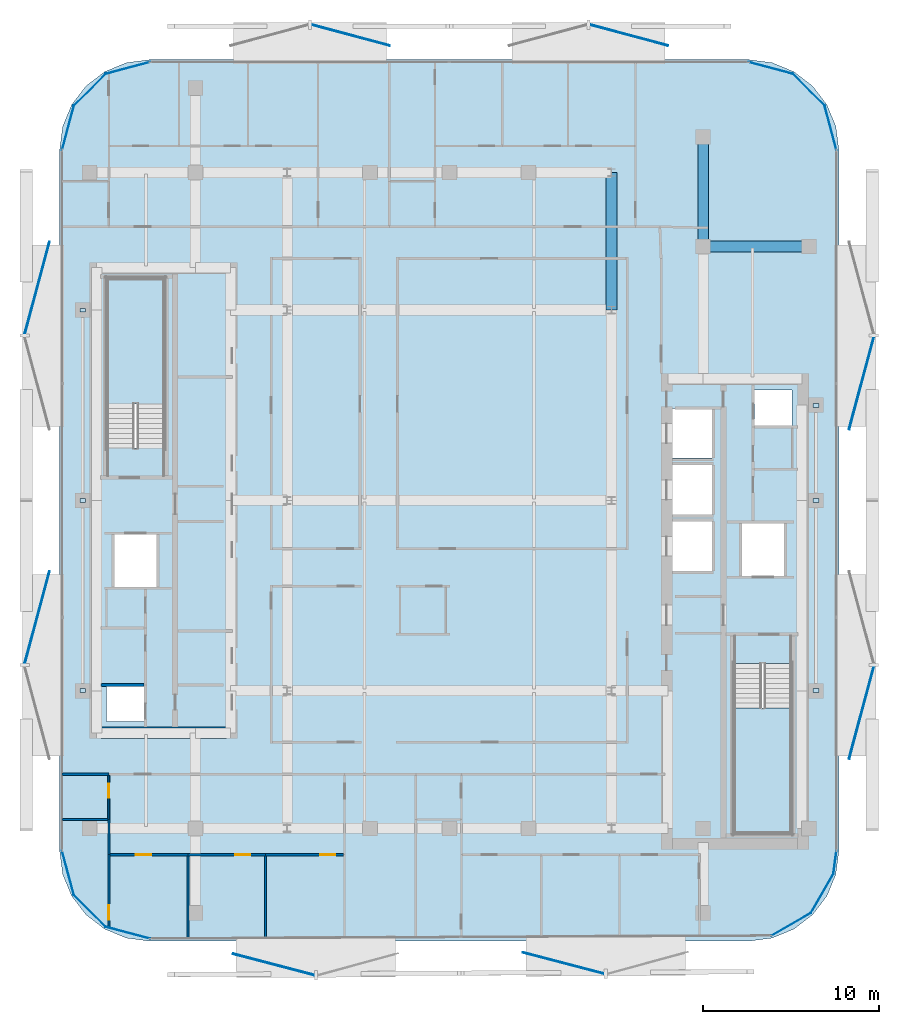
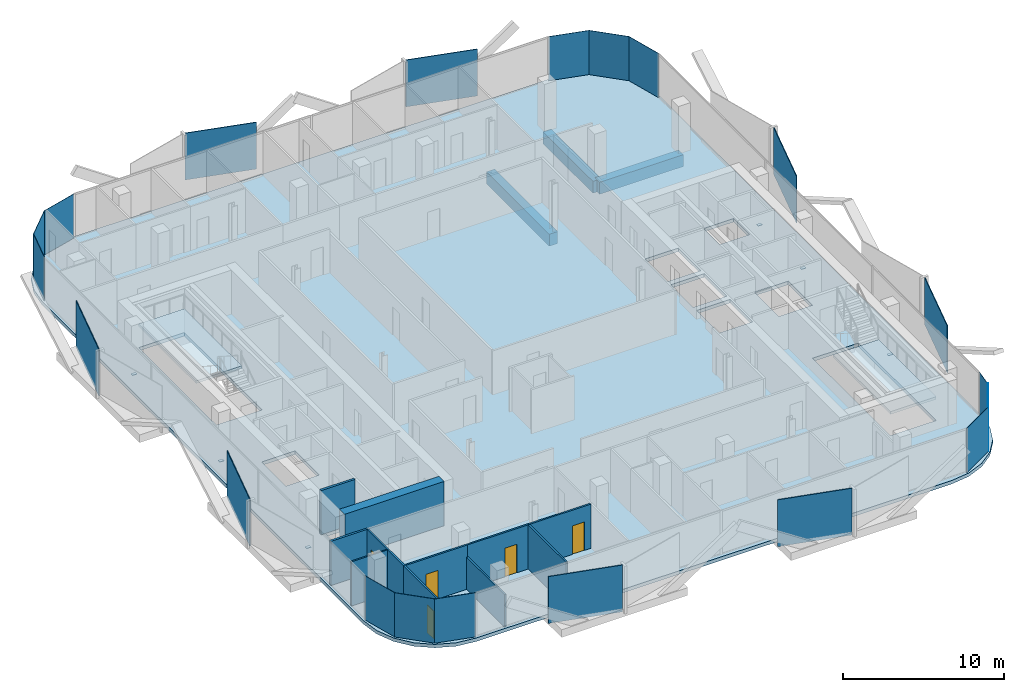
# One storey, part 2 of 14: 26 plates, 12 walls, 5 doors, 3 beams, 3 slabs, 5 openings, 2 elements without a shape of their own.
"""IFC4 building model written with IfcOpenShell, lengths in metres."""

from ifc_helpers import new_model, si_unit, direction, frame, frame_2d, origin, origin_2d, place, context, subcontext, project, spatial, polyline, rectangle, outline, extrude, material, layer, layer_set, material_profile, profile_set, type_object, element, fill, aggregate, save


model = new_model("IFC4")

# Units and contexts
model_context = context("Model", 3, precision=1e-05, world=origin(), true_north=direction((0.0, 1.0)))
body_context = subcontext(model_context, "Body", "Model", "MODEL_VIEW")
ifc_project = project(units=[si_unit("LENGTHUNIT", "METRE"), si_unit("AREAUNIT", "SQUARE_METRE"), si_unit("VOLUMEUNIT", "CUBIC_METRE"), si_unit("PLANEANGLEUNIT", "RADIAN"), si_unit("MASSUNIT", "GRAM", prefix="KILO")], contexts=[model_context])

# Site, building, storey
site_placement = place(None, origin())
site = spatial("IfcSite", under=ifc_project, at=site_placement, CompositionType="ELEMENT")
building_placement = place(site_placement, origin())
building = spatial("IfcBuilding", under=site, at=building_placement, Name="Khairoan Windgate Tower", CompositionType="ELEMENT")
storey_placement = place(building_placement, frame((0.0, 0.0, 229.60009765625)))
storey = spatial("IfcBuildingStorey", under=building, at=storey_placement, Name="L53", CompositionType="ELEMENT", Elevation=229.60009765625)

# Beams
ifc_material_1 = material(Name="Concrete C50/60", Category="concrete")
ifc_material_profile = material_profile(ifc_material_1, rectangle(XDim=0.60009765625, YDim=0.89990234375, at=origin_2d()))
ifc_profile_set = profile_set([ifc_material_profile], Name="Concrete C50/60")
beam_type = type_object("IfcBeamType", Name="Beam B-RC1 RC600x900", PredefinedType="BEAM", material=ifc_profile_set)
beam_1_placement = place(storey_placement, frame((14.39990234375, 14.39990234375, -0.710205078125), z_axis=(1.0, 0.0, 0.0), x_axis=(0.0, 1.0, 0.0)))
element("IfcBeam", 1, at=beam_1_placement, inside=storey, type_object=beam_type, Name="L53 E-W Primary Girder 21", PredefinedType="BEAM", context=body_context, shape_type="SweptSolid", body=[
    extrude(rectangle(XDim=0.60009765625, YDim=0.89990234375, at=origin_2d()), origin(), (0.0, 0.0, 1.0), 6.0),
])
beam_2_placement = place(storey_placement, frame((9.199951171875, 10.800048828125, -0.710205078125), z_axis=(0.0, 1.0, 0.0), x_axis=(-1.0, 0.0, 0.0)))
element("IfcBeam", 2, at=beam_2_placement, inside=storey, type_object=beam_type, Name="L53 N-S Primary Beam 49", PredefinedType="BEAM", context=body_context, shape_type="SweptSolid", body=[
    extrude(rectangle(XDim=0.60009765625, YDim=0.89990234375, at=origin_2d()), origin(), (0.0, 0.0, 1.0), 7.800048828125),
])
beam_3_placement = place(storey_placement, frame((14.39990234375, 14.39990234375, -0.710205078125), z_axis=(0.0, 1.0, 0.0), x_axis=(-1.0, 0.0, 0.0)))
element("IfcBeam", 3, at=beam_3_placement, inside=storey, type_object=beam_type, Name="L53 N-S Primary Beam 53", PredefinedType="BEAM", context=body_context, shape_type="SweptSolid", body=[
    extrude(rectangle(XDim=0.60009765625, YDim=0.89990234375, at=origin_2d()), origin(), (0.0, 0.0, 1.0), 6.2001953125),
])

# Plates
ifc_material_2 = material(Name="Low-E Solar Control Laminated Glass", Category="glass")
ifc_layer_1 = layer(ifc_material_2, 0.030029296875, Name="Low-E Solar Control Laminated Glass")
ifc_layer_set_1 = layer_set([ifc_layer_1], Name="Low-E Solar Control Laminated Glass")
plate_type_1 = type_object("IfcPlateType", Name="Aerodynamic Wind-Corner Curved Glazing Plate", PredefinedType="USERDEFINED", material=ifc_layer_set_1)
plate_1_placement = place(storey_placement, frame((-18.235107421875, -24.527099609375, 0.0), z_axis=(0.0, 0.0, 1.0), x_axis=(-0.966061211211, 0.258313252067, 0.0)))
element("IfcPlate", 4, at=plate_1_placement, inside=storey, type_object=plate_type_1, Name="L53 Aerodynamic Wind-Corner Curved Glazing Panel 2", ObjectType="GLAZING PANEL", PredefinedType="USERDEFINED", context=body_context, shape_type="SweptSolid", body=[
    extrude(rectangle(XDim=2.6162109375, YDim=0.030029296875, at=origin_2d()), origin(), (0.0, 0.0, 1.0), 3.340087890625),
])
plate_2_placement = place(storey_placement, frame((-20.386962890625, -23.286865234375, 0.0), z_axis=(0.0, 0.0, 1.0), x_axis=(-0.707106781187, 0.707106781187, 0.0)))
element("IfcPlate", 5, at=plate_2_placement, inside=storey, type_object=plate_type_1, Name="L53 Aerodynamic Wind-Corner Curved Glazing Panel 3", ObjectType="GLAZING PANEL", PredefinedType="USERDEFINED", context=body_context, shape_type="SweptSolid", body=[
    extrude(rectangle(XDim=2.606689453125, YDim=0.030029296875, at=origin_2d()), origin(), (0.0, 0.0, 1.0), 3.340087890625),
])
for number, where, z_axis, x_axis, name in (
    (6, (-21.627197265625, -21.135009765625, 0.0), (0.0, 0.0, 1.0), (-0.258313252067, 0.966061211211, 0.0), "L53 Aerodynamic Wind-Corner Curved Glazing Panel 4"),
    (7, (-21.627197265625, 21.135009765625, 0.0), (0.0, 0.0, 1.0), (0.258313252067, 0.966061211211, 0.0), "L53 Aerodynamic Wind-Corner Curved Glazing Panel 6"),
):
    element("IfcPlate", number, at=place(storey_placement, frame(where, z_axis=z_axis, x_axis=x_axis)), inside=storey, type_object=plate_type_1, Name=name, ObjectType="GLAZING PANEL", PredefinedType="USERDEFINED", context=body_context, shape_type="SweptSolid", body=[
        extrude(rectangle(XDim=2.6162109375, YDim=0.030029296875, at=origin_2d()), origin(), (0.0, 0.0, 1.0), 3.340087890625),
    ])
plate_3_placement = place(storey_placement, frame((-20.386962890625, 23.286865234375, 0.0), z_axis=(0.0, 0.0, 1.0), x_axis=(0.707106781187, 0.707106781187, 0.0)))
element("IfcPlate", 8, at=plate_3_placement, inside=storey, type_object=plate_type_1, Name="L53 Aerodynamic Wind-Corner Curved Glazing Panel 7", ObjectType="GLAZING PANEL", PredefinedType="USERDEFINED", context=body_context, shape_type="SweptSolid", body=[
    extrude(rectangle(XDim=2.606689453125, YDim=0.030029296875, at=origin_2d()), origin(), (0.0, 0.0, 1.0), 3.340087890625),
])
for number, where, z_axis, x_axis, name in (
    (9, (-18.235107421875, 24.527099609375, 0.0), (0.0, 0.0, 1.0), (0.966061211211, 0.258313252067, 0.0), "L53 Aerodynamic Wind-Corner Curved Glazing Panel 8"),
    (10, (18.235107421875, 24.527099609375, 0.0), (0.0, 0.0, 1.0), (0.966061211211, -0.258313252067, 0.0), "L53 Aerodynamic Wind-Corner Curved Glazing Panel 10"),
):
    element("IfcPlate", number, at=place(storey_placement, frame(where, z_axis=z_axis, x_axis=x_axis)), inside=storey, type_object=plate_type_1, Name=name, ObjectType="GLAZING PANEL", PredefinedType="USERDEFINED", context=body_context, shape_type="SweptSolid", body=[
        extrude(rectangle(XDim=2.6162109375, YDim=0.030029296875, at=origin_2d()), origin(), (0.0, 0.0, 1.0), 3.340087890625),
    ])
plate_4_placement = place(storey_placement, frame((20.386962890625, 23.286865234375, 0.0), z_axis=(0.0, 0.0, 1.0), x_axis=(0.707106781187, -0.707106781187, 0.0)))
element("IfcPlate", 11, at=plate_4_placement, inside=storey, type_object=plate_type_1, Name="L53 Aerodynamic Wind-Corner Curved Glazing Panel 11", ObjectType="GLAZING PANEL", PredefinedType="USERDEFINED", context=body_context, shape_type="SweptSolid", body=[
    extrude(rectangle(XDim=2.606689453125, YDim=0.030029296875, at=origin_2d()), origin(), (0.0, 0.0, 1.0), 3.340087890625),
])
plate_5_placement = place(storey_placement, frame((21.627197265625, 21.135009765625, 0.0), z_axis=(0.0, 0.0, 1.0), x_axis=(0.258313252067, -0.966061211211, 0.0)))
element("IfcPlate", 12, at=plate_5_placement, inside=storey, type_object=plate_type_1, Name="L53 Aerodynamic Wind-Corner Curved Glazing Panel 12", ObjectType="GLAZING PANEL", PredefinedType="USERDEFINED", context=body_context, shape_type="SweptSolid", body=[
    extrude(rectangle(XDim=2.6162109375, YDim=0.030029296875, at=origin_2d()), origin(), (0.0, 0.0, 1.0), 3.340087890625),
])
plate_6_placement = place(storey_placement, frame((21.875, -20.537109375, 0.0), z_axis=(0.0, 0.0, 1.0), x_axis=(-0.13052619222, -0.991444861374, 0.0)))
element("IfcPlate", 13, at=plate_6_placement, inside=storey, type_object=plate_type_1, Name="L53 Aerodynamic Wind-Corner Curved Glazing Panel 14", ObjectType="GLAZING PANEL", PredefinedType="USERDEFINED", context=body_context, shape_type="SweptSolid", body=[
    extrude(rectangle(XDim=1.343994140625, YDim=0.030029296875, at=origin_2d()), origin(), (0.0, 0.0, 1.0), 3.340087890625),
])
for number, where, z_axis, x_axis, name in (
    (14, (21.148193359375, -22.294921875, 0.0), (0.0, 0.0, 1.0), (-0.5, -0.866025403784, 0.0), "L53 Aerodynamic Wind-Corner Curved Glazing Panel 15"),
    (15, (19.39501953125, -24.048095703125, 0.0), (0.0, 0.0, 1.0), (-0.866025403784, -0.5, 0.0), "L53 Aerodynamic Wind-Corner Curved Glazing Panel 16"),
):
    element("IfcPlate", number, at=place(storey_placement, frame(where, z_axis=z_axis, x_axis=x_axis)), inside=storey, type_object=plate_type_1, Name=name, ObjectType="GLAZING PANEL", PredefinedType="USERDEFINED", context=body_context, shape_type="SweptSolid", body=[
        extrude(rectangle(XDim=2.606689453125, YDim=0.030029296875, at=origin_2d()), origin(), (0.0, 0.0, 1.0), 3.340087890625),
    ])
ifc_material_3 = material(Name="Steel S355", Category="steel")
ifc_layer_2 = layer(ifc_material_3, 0.0400390625, Name="Steel S355")
ifc_layer_set_2 = layer_set([ifc_layer_2], Name="Steel S355")
plate_type_2 = type_object("IfcPlateType", Name="Hollow Section End-Cap Plate PL-CAP40", PredefinedType="SHEET", material=ifc_layer_set_2)
for number, where, z_axis, x_axis, name in (
    (16, (-20.800048828125, -10.784912109375, -0.43017578125), (0.0, 0.0, 1.0), (0.0, 1.0, 0.0), "BM-SP-L53-028 steel end-cap plate 1"),
    (17, (-20.800048828125, -0.014892578125, -0.43017578125), (0.0, 0.0, 1.0), (0.0, 1.0, 0.0), "BM-SP-L53-028 steel end-cap plate 2"),
    (18, (-20.800048828125, 10.784912109375, -0.43017578125), (0.0, 0.0, 1.0), (0.0, 1.0, 0.0), "BM-SP-L53-029 steel end-cap plate 2"),
    (19, (20.800048828125, -10.784912109375, -0.43017578125), (0.0, 0.0, 1.0), (0.0, 1.0, 0.0), "BM-SP-L53-057 steel end-cap plate 1"),
    (20, (20.800048828125, -0.014892578125, -0.43017578125), (0.0, 0.0, 1.0), (0.0, 1.0, 0.0), "BM-SP-L53-057 steel end-cap plate 2"),
    (21, (20.800048828125, 5.385009765625, -0.43017578125), (0.0, 0.0, 1.0), (0.0, 1.0, 0.0), "BM-SP-L53-058 steel end-cap plate 2"),
):
    element("IfcPlate", number, at=place(storey_placement, frame(where, z_axis=z_axis, x_axis=x_axis)), inside=storey, type_object=plate_type_2, Name=name, PredefinedType="SHEET", context=body_context, shape_type="SweptSolid", body=[
        extrude(rectangle(XDim=0.219970703125, YDim=0.320068359375, at=origin_2d()), origin(), (0.0, 0.0, 1.0), 0.0400390625),
    ])
ifc_material_4 = material(Name="Anodised Bronze Aluminium 6063-T6", Category="aluminium")
ifc_layer_3 = layer(ifc_material_4, 0.054931640625, Name="Anodised Bronze Aluminium 6063-T6")
ifc_layer_set_3 = layer_set([ifc_layer_3], Name="Anodised Bronze Aluminium 6063-T6")
plate_type_3 = type_object("IfcPlateType", Name="Perforated Bronze Solar Screen Upper Panel BSP-2", PredefinedType="USERDEFINED", material=ifc_layer_set_3)
for number, where, z_axis, x_axis, name in (
    (22, (6.47998046875, -26.25, -0.10009765625), (0.0, 0.0, 1.0), (-0.967179115616, 0.254095569259, 0.0), "L53 Perforated Bronze Solar Screen Panel 353R"),
    (23, (-9.957275390625, -26.3291015625, -0.10009765625), (0.0, 0.0, 1.0), (-0.967179115616, 0.254095569259, 0.0), "L53 Perforated Bronze Solar Screen Panel 354R"),
):
    element("IfcPlate", number, at=place(storey_placement, frame(where, z_axis=z_axis, x_axis=x_axis)), inside=storey, type_object=plate_type_3, Name=name, ObjectType="SCREEN", PredefinedType="USERDEFINED", context=body_context, shape_type="SweptSolid", body=[
        extrude(rectangle(XDim=4.76708984375, YDim=0.054931640625, at=origin_2d()), origin(), (0.0, 0.0, 1.0), 3.5400390625),
    ])
for number, where, z_axis, x_axis, name in (
    (24, (-23.378662109375, -6.6376953125, -0.10009765625), (0.0, 0.0, 1.0), (0.258819045103, 0.965925826289, 0.0), "L53 Perforated Bronze Solar Screen Panel 355R"),
    (25, (-23.378662109375, 12.052978515625, -0.10009765625), (0.0, 0.0, 1.0), (0.258819045103, 0.965925826289, 0.0), "L53 Perforated Bronze Solar Screen Panel 356R"),
):
    element("IfcPlate", number, at=place(storey_placement, frame(where, z_axis=z_axis, x_axis=x_axis)), inside=storey, type_object=plate_type_3, Name=name, ObjectType="SCREEN", PredefinedType="USERDEFINED", context=body_context, shape_type="SweptSolid", body=[
        extrude(rectangle(XDim=5.419921875, YDim=0.054931640625, at=origin_2d()), origin(), (0.0, 0.0, 1.0), 3.5400390625),
    ])
for number, where, z_axis, x_axis, name in (
    (26, (-5.593994140625, 26.387451171875, -0.10009765625), (0.0, 0.0, 1.0), (0.965925826289, -0.258819045103, 0.0), "L53 Perforated Bronze Solar Screen Panel 357R"),
    (27, (10.197021484375, 26.387451171875, -0.10009765625), (0.0, 0.0, 1.0), (0.965925826289, -0.258819045103, 0.0), "L53 Perforated Bronze Solar Screen Panel 358R"),
):
    element("IfcPlate", number, at=place(storey_placement, frame(where, z_axis=z_axis, x_axis=x_axis)), inside=storey, type_object=plate_type_3, Name=name, ObjectType="SCREEN", PredefinedType="USERDEFINED", context=body_context, shape_type="SweptSolid", body=[
        extrude(rectangle(XDim=4.5791015625, YDim=0.054931640625, at=origin_2d()), origin(), (0.0, 0.0, 1.0), 3.5400390625),
    ])
for number, where, z_axis, x_axis, name in (
    (28, (23.378662109375, 6.6376953125, -0.10009765625), (0.0, 0.0, 1.0), (-0.258819045103, -0.965925826289, 0.0), "L53 Perforated Bronze Solar Screen Panel 359R"),
    (29, (23.378662109375, -12.052978515625, -0.10009765625), (0.0, 0.0, 1.0), (-0.258819045103, -0.965925826289, 0.0), "L53 Perforated Bronze Solar Screen Panel 360R"),
):
    element("IfcPlate", number, at=place(storey_placement, frame(where, z_axis=z_axis, x_axis=x_axis)), inside=storey, type_object=plate_type_3, Name=name, ObjectType="SCREEN", PredefinedType="USERDEFINED", context=body_context, shape_type="SweptSolid", body=[
        extrude(rectangle(XDim=5.419921875, YDim=0.054931640625, at=origin_2d()), origin(), (0.0, 0.0, 1.0), 3.5400390625),
    ])

# Stair, slab
ifc_material_5 = material(Name="Concrete C40/50", Category="concrete")
stair_type = type_object("IfcStairType", Name="Tower Core Dog-Leg Stair ST-T1 1560mm", PredefinedType="HALF_TURN_STAIR", material=ifc_material_5)
stair_1_placement = place(storey_placement, origin())
stair_1 = element("IfcStair", 30, at=stair_1_placement, inside=storey, type_object=stair_type, Name="L53 Stair ST1", PredefinedType="HALF_TURN_STAIR")
ifc_material_6 = material(Name="Concrete C40/50", Category="concrete")
ifc_layer_4 = layer(ifc_material_6, 0.199951171875, Name="Concrete C40/50")
ifc_layer_set_4 = layer_set([ifc_layer_4], Name="Concrete C40/50")
slab_type_1 = type_object("IfcSlabType", Name="Reinforced Concrete Stair Landing Slab STL-200", PredefinedType="LANDING", material=ifc_layer_set_4)
slab_1_placement = place(storey_placement, frame((0.0, 0.0, 1.599853515625)))
slab_1 = element("IfcSlab", 31, at=slab_1_placement, type_object=slab_type_1, Name="ST1 landing 1", PredefinedType="LANDING", context=body_context, shape_type="SweptSolid", body=[
    extrude(outline(polyline([(16.14990234375, -11.780029296875), (16.14990234375, -18.89990234375), (19.419921875, -18.89990234375), (19.419921875, -11.780029296875), (16.14990234375, -11.780029296875)])), origin(), (0.0, 0.0, 1.0), 0.199951171875),
])
aggregate(stair_1, [slab_1])

stair_2_placement = place(storey_placement, origin())
stair_2 = element("IfcStair", 32, at=stair_2_placement, inside=storey, type_object=stair_type, Name="L53 Stair ST2", PredefinedType="HALF_TURN_STAIR")
slab_2_placement = place(storey_placement, frame((0.0, 0.0, 1.599853515625)))
slab_2 = element("IfcSlab", 33, at=slab_2_placement, type_object=slab_type_1, Name="ST2 landing 1", PredefinedType="LANDING", context=body_context, shape_type="SweptSolid", body=[
    extrude(outline(polyline([(-16.14990234375, 5.47998046875), (-16.14990234375, 12.60009765625), (-19.419921875, 12.60009765625), (-19.419921875, 5.47998046875), (-16.14990234375, 5.47998046875)])), origin(), (0.0, 0.0, 1.0), 0.199951171875),
])
aggregate(stair_2, [slab_2])

# Slab
ifc_material_7 = material(Name="Concrete C40/50", Category="concrete")
ifc_layer_5 = layer(ifc_material_7, 0.260009765625, Name="Concrete C40/50")
ifc_layer_set_5 = layer_set([ifc_layer_5], Name="Concrete C40/50")
slab_type_2 = type_object("IfcSlabType", Name="Tower Composite Floor Slab FS2 260mm", PredefinedType="FLOOR", material=ifc_layer_set_5)
slab_3_placement = place(storey_placement, frame((0.0, 0.0, -0.260009765625)))
element("IfcSlab", 34, at=slab_3_placement, inside=storey, type_object=slab_type_2, Name="L53 Structural Floor Slab", PredefinedType="FLOOR", context=body_context, shape_type="SweptSolid", body=[
    extrude(outline(polyline([(17.0, -25.0), (18.320068359375, -24.826171875), (19.550048828125, -24.316650390625), (20.606201171875, -23.506103515625), (21.416748046875, -22.449951171875), (21.92626953125, -21.219970703125), (22.10009765625, -19.89990234375), (22.10009765625, 19.89990234375), (21.92626953125, 21.219970703125), (21.416748046875, 22.449951171875), (20.606201171875, 23.506103515625), (19.550048828125, 24.316650390625), (18.320068359375, 24.826171875), (17.0, 25.0), (-17.0, 25.0), (-18.320068359375, 24.826171875), (-19.550048828125, 24.316650390625), (-20.606201171875, 23.506103515625), (-21.416748046875, 22.449951171875), (-21.92626953125, 21.219970703125), (-22.10009765625, 19.89990234375), (-22.10009765625, -19.89990234375), (-21.92626953125, -21.219970703125), (-21.416748046875, -22.449951171875), (-20.606201171875, -23.506103515625), (-19.550048828125, -24.316650390625), (-18.320068359375, -24.826171875), (-17.0, -25.0), (17.0, -25.0)]), holes=[polyline([(16.14990234375, -9.260009765625), (16.14990234375, -18.89990234375), (19.419921875, -18.89990234375), (19.419921875, -9.260009765625), (16.14990234375, -9.260009765625)]), polyline([(-16.14990234375, 2.9599609375), (-16.14990234375, 12.60009765625), (-19.419921875, 12.60009765625), (-19.419921875, 2.9599609375), (-16.14990234375, 2.9599609375)]), polyline([(12.5, 2.39990234375), (14.89990234375, 2.39990234375), (14.89990234375, 5.199951171875), (12.5, 5.199951171875), (12.5, 2.39990234375)]), polyline([(12.5, -0.800048828125), (14.89990234375, -0.800048828125), (14.89990234375, 2.0), (12.5, 2.0), (12.5, -0.800048828125)]), polyline([(12.5, -4.0), (14.89990234375, -4.0), (14.89990234375, -1.199951171875), (12.5, -1.199951171875), (12.5, -4.0)]), polyline([(16.60009765625, -4.300048828125), (19.0, -4.300048828125), (19.0, -1.300048828125), (16.60009765625, -1.300048828125), (16.60009765625, -4.300048828125)]), polyline([(-19.0, -4.89990234375), (-16.60009765625, -4.89990234375), (-16.60009765625, -1.89990234375), (-19.0, -1.89990234375), (-19.0, -4.89990234375)]), polyline([(-19.449951171875, -12.550048828125), (-17.31005859375, -12.550048828125), (-17.31005859375, -10.550048828125), (-19.449951171875, -10.550048828125), (-19.449951171875, -12.550048828125)]), polyline([(17.31005859375, 4.25), (19.449951171875, 4.25), (19.449951171875, 6.25), (17.31005859375, 6.25), (17.31005859375, 4.25)])]), origin(), (0.0, 0.0, 1.0), 0.260009765625),
])

# Wall
ifc_material_8 = material(Name="Moisture-Resistant Gypsum Partition", Category="gypsum")
ifc_layer_6 = layer(ifc_material_8, 0.10009765625, Name="Moisture-Resistant Gypsum Partition")
ifc_layer_set_6 = layer_set([ifc_layer_6], Name="Moisture-Resistant Gypsum Partition")
wall_type_1 = type_object("IfcWallType", Name="Bathroom Wet-Area Partition Wall", PredefinedType="PARTITIONING", material=ifc_layer_set_6)
wall_1_placement = place(storey_placement, frame((-21.955078125, -18.10009765625, 0.0), z_axis=(0.0, 0.0, 1.0), x_axis=(1.0, 0.0, 0.0)))
element("IfcWall", 35, at=wall_1_placement, inside=storey, type_object=wall_type_1, Name="L53 Interior Partition 065", PredefinedType="PARTITIONING", context=body_context, shape_type="SweptSolid", body=[
    extrude(rectangle(XDim=2.594970703125, YDim=0.10009765625, at=frame_2d((1.29736328125, 0.0))), origin(), (0.0, 0.0, 1.0), 3.33984375),
])

# Wall, opening, door
wall_2_placement = place(storey_placement, frame((-19.31005859375, -18.10009765625, 0.0), z_axis=(0.0, 0.0, 1.0), x_axis=(0.0, 1.0, 0.0)))
wall_2 = element("IfcWall", 36, at=wall_2_placement, inside=storey, type_object=wall_type_1, Name="L53 Interior Partition 066", PredefinedType="PARTITIONING", context=body_context, shape_type="SweptSolid", body=[
    extrude(rectangle(XDim=2.5, YDim=0.10009765625, at=frame_2d((1.25, 0.0))), origin(), (0.0, 0.0, 1.0), 3.33984375),
])
opening_1_placement = place(wall_2_placement, frame((1.239990234375, 0.0, 0.0)))
opening_1 = element("IfcOpeningElement", 37, at=opening_1_placement, cuts=wall_2, Name="Opening ID-BTH", PredefinedType="OPENING", context=body_context, shape_type="SweptSolid", body=[
    extrude(rectangle(XDim=0.800048828125, YDim=2.10009765625, at=frame_2d((0.39990234375, 1.050048828125))), frame((0.0, 0.06005859375, 0.0), z_axis=(0.0, -1.0, 0.0), x_axis=(1.0, 0.0, 0.0)), (0.0, 0.0, 1.0), 0.1201171875),
])
ifc_material_9 = material(Name="Teak Veneer Timber Leaf", Category="wood")
door_type_1 = type_object("IfcDoorType", Name="Internal Bathroom Door ID-BTH 800x2100", OperationType="NOTDEFINED", PredefinedType="DOOR", material=ifc_material_9)
door_1_placement = place(opening_1_placement, origin())
door_1 = element("IfcDoor", 38, at=door_1_placement, inside=storey, type_object=door_type_1, Name="L53 L53-47-L53-49 Door", OperationType="SINGLE_SWING_RIGHT", OverallHeight=2.10009765625, OverallWidth=0.800048828125, PredefinedType="DOOR", context=body_context, shape_type="SweptSolid", body=[
    extrude(rectangle(XDim=0.800048828125, YDim=2.10009765625, at=frame_2d((0.39990234375, 1.050048828125))), frame((0.0, 0.02490234375, 0.0), z_axis=(0.0, -1.0, 0.0), x_axis=(1.0, 0.0, 0.0)), (0.0, 0.0, 1.0), 0.050048828125),
])
fill(opening_1, door_1)

# Wall
ifc_material_10 = material(Name="Gypsum Stud Partition", Category="gypsum")
ifc_layer_7 = layer(ifc_material_10, 0.1201171875, Name="Gypsum Stud Partition")
ifc_layer_set_7 = layer_set([ifc_layer_7], Name="Gypsum Stud Partition")
wall_type_2 = type_object("IfcWallType", Name="Internal Room Partition Wall", PredefinedType="PARTITIONING", material=ifc_layer_set_7)
wall_3_placement = place(storey_placement, frame((-19.31005859375, -20.10009765625, 0.0), z_axis=(0.0, 0.0, 1.0), x_axis=(0.0, 1.0, 0.0)))
element("IfcWall", 39, at=wall_3_placement, inside=storey, type_object=wall_type_2, Name="L53 Interior Partition 067", PredefinedType="PARTITIONING", context=body_context, shape_type="SweptSolid", body=[
    extrude(rectangle(XDim=2.0, YDim=0.1201171875, at=frame_2d((1.0, 0.0))), origin(), (0.0, 0.0, 1.0), 3.33984375),
])

# Wall, opening, door
wall_4_placement = place(storey_placement, frame((-19.31005859375, -24.234619140625, 0.0), z_axis=(0.0, 0.0, 1.0), x_axis=(0.0, 1.0, 0.0)))
wall_4 = element("IfcWall", 40, at=wall_4_placement, inside=storey, type_object=wall_type_2, Name="L53 Interior Partition 068", PredefinedType="PARTITIONING", context=body_context, shape_type="SweptSolid", body=[
    extrude(rectangle(XDim=4.134521484375, YDim=0.1201171875, at=frame_2d((2.0673828125, 0.0))), origin(), (0.0, 0.0, 1.0), 3.33984375),
])
opening_2_placement = place(wall_4_placement, frame((0.4599609375, 0.0, 0.0)))
opening_2 = element("IfcOpeningElement", 41, at=opening_2_placement, cuts=wall_4, Name="Opening ID-BTH", PredefinedType="OPENING", context=body_context, shape_type="SweptSolid", body=[
    extrude(rectangle(XDim=0.800048828125, YDim=2.10009765625, at=frame_2d((0.39990234375, 1.050048828125))), frame((0.0, 0.070068359375, 0.0), z_axis=(0.0, -1.0, 0.0), x_axis=(1.0, 0.0, 0.0)), (0.0, 0.0, 1.0), 0.14013671875),
])
door_2_placement = place(opening_2_placement, origin())
door_2 = element("IfcDoor", 42, at=door_2_placement, inside=storey, type_object=door_type_1, Name="L53 L53-48-L53-51 Door", OperationType="SINGLE_SWING_LEFT", OverallHeight=2.10009765625, OverallWidth=0.800048828125, PredefinedType="DOOR", context=body_context, shape_type="SweptSolid", body=[
    extrude(rectangle(XDim=0.800048828125, YDim=2.10009765625, at=frame_2d((0.39990234375, 1.050048828125))), frame((0.0, 0.02490234375, 0.0), z_axis=(0.0, -1.0, 0.0), x_axis=(1.0, 0.0, 0.0)), (0.0, 0.0, 1.0), 0.050048828125),
])
fill(opening_2, door_2)

wall_5_placement = place(storey_placement, frame((-19.25, -20.10009765625, 0.0), z_axis=(0.0, 0.0, 1.0), x_axis=(1.0, 0.0, 0.0)))
wall_5 = element("IfcWall", 43, at=wall_5_placement, inside=storey, type_object=wall_type_2, Name="L53 Interior Partition 070", PredefinedType="PARTITIONING", context=body_context, shape_type="SweptSolid", body=[
    extrude(rectangle(XDim=4.423095703125, YDim=0.1201171875, at=frame_2d((2.21142578125, 0.0))), origin(), (0.0, 0.0, 1.0), 3.33984375),
])
opening_3_placement = place(wall_5_placement, frame((1.4765625, 0.0, 0.0)))
opening_3 = element("IfcOpeningElement", 44, at=opening_3_placement, cuts=wall_5, Name="Opening ID-RM", PredefinedType="OPENING", context=body_context, shape_type="SweptSolid", body=[
    extrude(rectangle(XDim=0.860107421875, YDim=2.14990234375, at=frame_2d((0.43017578125, 1.074951171875))), frame((0.0, 0.070068359375, 0.0), z_axis=(0.0, -1.0, 0.0), x_axis=(1.0, 0.0, 0.0)), (0.0, 0.0, 1.0), 0.14013671875),
])
ifc_material_11 = material(Name="Teak Veneer Timber Leaf", Category="wood")
door_type_2 = type_object("IfcDoorType", Name="Internal Bedroom and Office Door ID-RM 860x2150", OperationType="NOTDEFINED", PredefinedType="DOOR", material=ifc_material_11)
door_3_placement = place(opening_3_placement, origin())
door_3 = element("IfcDoor", 45, at=door_3_placement, inside=storey, type_object=door_type_2, Name="L53 L53-49-L53-51 Door", OperationType="SINGLE_SWING_LEFT", OverallHeight=2.14990234375, OverallWidth=0.860107421875, PredefinedType="DOOR", context=body_context, shape_type="SweptSolid", body=[
    extrude(rectangle(XDim=0.860107421875, YDim=2.14990234375, at=frame_2d((0.43017578125, 1.074951171875))), frame((0.0, 0.02490234375, 0.0), z_axis=(0.0, -1.0, 0.0), x_axis=(1.0, 0.0, 0.0)), (0.0, 0.0, 1.0), 0.050048828125),
])
fill(opening_3, door_3)

wall_6_placement = place(storey_placement, frame((-14.826904296875, -20.10009765625, 0.0), z_axis=(0.0, 0.0, 1.0), x_axis=(1.0, 0.0, 0.0)))
wall_6 = element("IfcWall", 46, at=wall_6_placement, inside=storey, type_object=wall_type_2, Name="L53 Interior Partition 071", PredefinedType="PARTITIONING", context=body_context, shape_type="SweptSolid", body=[
    extrude(rectangle(XDim=4.40380859375, YDim=0.1201171875, at=frame_2d((2.201904296875, 0.0))), origin(), (0.0, 0.0, 1.0), 3.33984375),
])
opening_4_placement = place(wall_6_placement, frame((2.680419921875, 0.0, 0.0)))
opening_4 = element("IfcOpeningElement", 47, at=opening_4_placement, cuts=wall_6, Name="Opening ID-RM", PredefinedType="OPENING", context=body_context, shape_type="SweptSolid", body=[
    extrude(rectangle(XDim=0.860107421875, YDim=2.14990234375, at=frame_2d((0.43017578125, 1.074951171875))), frame((0.0, 0.070068359375, 0.0), z_axis=(0.0, -1.0, 0.0), x_axis=(1.0, 0.0, 0.0)), (0.0, 0.0, 1.0), 0.14013671875),
])
door_4_placement = place(opening_4_placement, origin())
door_4 = element("IfcDoor", 48, at=door_4_placement, inside=storey, type_object=door_type_2, Name="L53 L53-49-L53-52 Door", OperationType="SINGLE_SWING_RIGHT", OverallHeight=2.14990234375, OverallWidth=0.860107421875, PredefinedType="DOOR", context=body_context, shape_type="SweptSolid", body=[
    extrude(rectangle(XDim=0.860107421875, YDim=2.14990234375, at=frame_2d((0.43017578125, 1.074951171875))), frame((0.0, 0.02490234375, 0.0), z_axis=(0.0, -1.0, 0.0), x_axis=(1.0, 0.0, 0.0)), (0.0, 0.0, 1.0), 0.050048828125),
])
fill(opening_4, door_4)

wall_7_placement = place(storey_placement, frame((-10.423095703125, -20.10009765625, 0.0), z_axis=(0.0, 0.0, 1.0), x_axis=(1.0, 0.0, 0.0)))
wall_7 = element("IfcWall", 49, at=wall_7_placement, inside=storey, type_object=wall_type_2, Name="L53 Interior Partition 072", PredefinedType="PARTITIONING", context=body_context, shape_type="SweptSolid", body=[
    extrude(rectangle(XDim=4.423095703125, YDim=0.1201171875, at=frame_2d((2.21142578125, 0.0))), origin(), (0.0, 0.0, 1.0), 3.33984375),
])
opening_5_placement = place(wall_7_placement, frame((3.10302734375, 0.0, 0.0)))
opening_5 = element("IfcOpeningElement", 50, at=opening_5_placement, cuts=wall_7, Name="Opening ID-RM", PredefinedType="OPENING", context=body_context, shape_type="SweptSolid", body=[
    extrude(rectangle(XDim=0.860107421875, YDim=2.14990234375, at=frame_2d((0.43017578125, 1.074951171875))), frame((0.0, 0.070068359375, 0.0), z_axis=(0.0, -1.0, 0.0), x_axis=(1.0, 0.0, 0.0)), (0.0, 0.0, 1.0), 0.14013671875),
])
door_5_placement = place(opening_5_placement, origin())
door_5 = element("IfcDoor", 51, at=door_5_placement, inside=storey, type_object=door_type_2, Name="L53 L53-49-L53-53 Door", OperationType="SINGLE_SWING_LEFT", OverallHeight=2.14990234375, OverallWidth=0.860107421875, PredefinedType="DOOR", context=body_context, shape_type="SweptSolid", body=[
    extrude(rectangle(XDim=0.860107421875, YDim=2.14990234375, at=frame_2d((0.43017578125, 1.074951171875))), frame((0.0, 0.02490234375, 0.0), z_axis=(0.0, -1.0, 0.0), x_axis=(1.0, 0.0, 0.0)), (0.0, 0.0, 1.0), 0.050048828125),
])
fill(opening_5, door_5)

# Walls
wall_8_placement = place(storey_placement, frame((-14.826904296875, -24.844482421875, 0.0), z_axis=(0.0, 0.0, 1.0), x_axis=(0.0, 1.0, 0.0)))
element("IfcWall", 52, at=wall_8_placement, inside=storey, type_object=wall_type_2, Name="L53 Interior Partition 076", PredefinedType="PARTITIONING", context=body_context, shape_type="SweptSolid", body=[
    extrude(rectangle(XDim=4.6845703125, YDim=0.1201171875, at=frame_2d((2.34228515625, 0.0))), origin(), (0.0, 0.0, 1.0), 2.43994140625),
])
wall_9_placement = place(storey_placement, frame((-10.423095703125, -24.8232421875, 0.0), z_axis=(0.0, 0.0, 1.0), x_axis=(0.0, 1.0, 0.0)))
element("IfcWall", 53, at=wall_9_placement, inside=storey, type_object=wall_type_2, Name="L53 Interior Partition 077", PredefinedType="PARTITIONING", context=body_context, shape_type="SweptSolid", body=[
    extrude(rectangle(XDim=4.663330078125, YDim=0.1201171875, at=frame_2d((2.33154296875, 0.0))), origin(), (0.0, 0.0, 1.0), 3.33984375),
])
ifc_material_12 = material(Name="Concrete C40/50", Category="concrete")
ifc_layer_8 = layer(ifc_material_12, 0.159912109375, Name="Concrete C40/50")
ifc_layer_set_8 = layer_set([ifc_layer_8], Name="Concrete C40/50")
wall_type_3 = type_object("IfcWallType", Name="Plant and Refuge Compartment Wall", PredefinedType="PARTITIONING", material=ifc_layer_set_8)
wall_10_placement = place(storey_placement, frame((-19.75, -10.469970703125, 0.0), z_axis=(0.0, 0.0, 1.0), x_axis=(1.0, 0.0, 0.0)))
element("IfcWall", 54, at=wall_10_placement, inside=storey, type_object=wall_type_3, Name="L53 Interior Partition 004", PredefinedType="PARTITIONING", context=body_context, shape_type="SweptSolid", body=[
    extrude(rectangle(XDim=2.43994140625, YDim=0.159912109375, at=frame_2d((1.219970703125, 0.0))), origin(), (0.0, 0.0, 1.0), 3.33984375),
])
ifc_material_13 = material(Name="Acoustic Fire-Rated Gypsum Partition", Category="gypsum")
ifc_layer_9 = layer(ifc_material_13, 0.14990234375, Name="Acoustic Fire-Rated Gypsum Partition")
ifc_layer_set_9 = layer_set([ifc_layer_9], Name="Acoustic Fire-Rated Gypsum Partition")
wall_type_4 = type_object("IfcWallType", Name="Rated Corridor Partition Wall", PredefinedType="PARTITIONING", material=ifc_layer_set_9)
wall_11_placement = place(storey_placement, frame((-21.955078125, -15.52490234375, 0.0), z_axis=(0.0, 0.0, 1.0), x_axis=(1.0, 0.0, 0.0)))
element("IfcWall", 55, at=wall_11_placement, inside=storey, type_object=wall_type_4, Name="L53 Interior Partition 033", PredefinedType="PARTITIONING", context=body_context, shape_type="SweptSolid", body=[
    extrude(rectangle(XDim=2.64501953125, YDim=0.14990234375, at=frame_2d((1.322509765625, 0.0))), origin(), (0.0, 0.0, 1.0), 3.33984375),
])
ifc_material_14 = material(Name="Concrete C60/75", Category="concrete")
ifc_layer_10 = layer(ifc_material_14, 0.64990234375, Name="Concrete C60/75")
ifc_layer_set_10 = layer_set([ifc_layer_10], Name="Concrete C60/75")
wall_type_5 = type_object("IfcWallType", Name="Shear Wall CW-W2 650mm", PredefinedType="SHEAR", material=ifc_layer_set_10)
wall_12_placement = place(storey_placement, frame((-19.75, -13.175048828125, 0.0), z_axis=(0.0, 0.0, 1.0), x_axis=(1.0, 0.0, 0.0)))
element("IfcWall", 56, at=wall_12_placement, inside=storey, type_object=wall_type_5, Name="W Core South Shear Wall L53", PredefinedType="SHEAR", context=body_context, shape_type="SweptSolid", body=[
    extrude(rectangle(XDim=7.10009765625, YDim=0.64990234375, at=frame_2d((3.550048828125, 0.0))), origin(), (0.0, 0.0, 1.0), 3.33984375),
])

save(model, "model.ifc")
